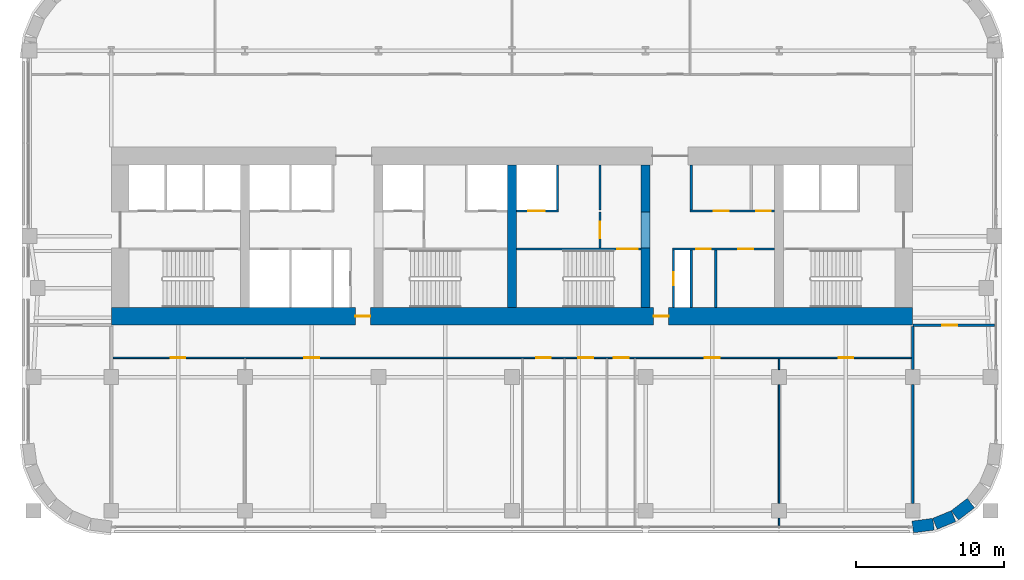
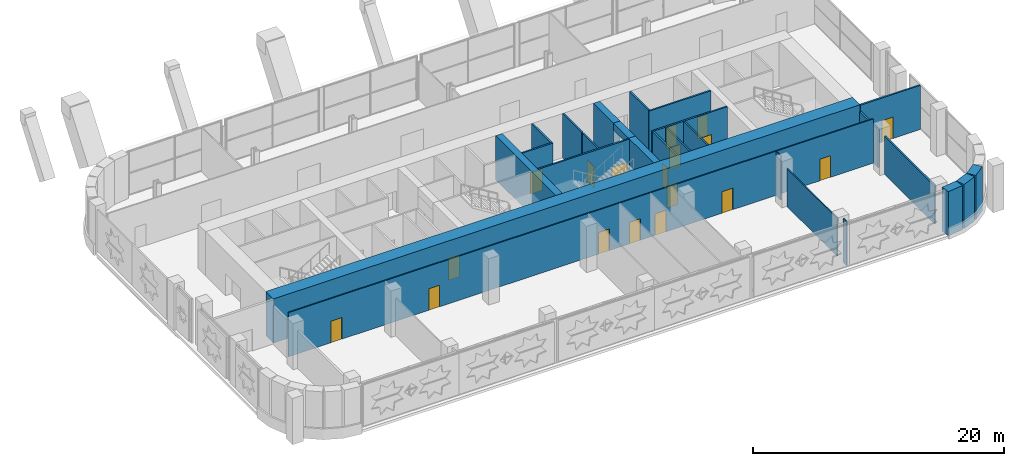
# One storey, part 17 of 24: 26 walls, 18 doors, 18 openings.
"""IFC4 building model written with IfcOpenShell, lengths in metres."""

from ifc_helpers import new_model, si_unit, direction, frame, frame_2d, origin, place, context, subcontext, project, spatial, rectangle, extrude, material, layer, layer_set, type_object, element, fill, save


model = new_model("IFC4")

# Units and contexts
model_context = context("Model", 3, precision=1e-05, world=origin(), true_north=direction((0.0, 1.0)))
body_context = subcontext(model_context, "Body", "Model", "MODEL_VIEW")
ifc_project = project(units=[si_unit("LENGTHUNIT", "METRE"), si_unit("AREAUNIT", "SQUARE_METRE"), si_unit("VOLUMEUNIT", "CUBIC_METRE"), si_unit("PLANEANGLEUNIT", "RADIAN"), si_unit("MASSUNIT", "GRAM", prefix="KILO")], contexts=[model_context])

# Site, building, storey
site_placement = place(None, origin())
site = spatial("IfcSite", under=ifc_project, at=site_placement, CompositionType="ELEMENT")
building_placement = place(site_placement, origin())
building = spatial("IfcBuilding", under=site, at=building_placement, Name="Zellij Exchange Tower", CompositionType="ELEMENT")
storey_placement = place(building_placement, frame((0.0, 0.0, 48.0)))
storey = spatial("IfcBuildingStorey", under=building, at=storey_placement, Name="L08", CompositionType="ELEMENT", Elevation=48.0)

# Walls
ifc_material_1 = material(Name="Concrete C70/85", Category="concrete")
ifc_layer_1 = layer(ifc_material_1, 0.60009765625)
ifc_layer_set_1 = layer_set([ifc_layer_1], Name="Concrete C70/85")
wall_type_1 = type_object("IfcWallType", Name="CORE-CW 600 C70/85", PredefinedType="SHEAR", material=ifc_layer_set_1)
wall_1_placement = place(storey_placement, frame((0.0, -12.800048828125, 0.0), z_axis=(0.0, 0.0, 1.0), x_axis=(0.0, 1.0, 0.0)))
element("IfcWall", 1, at=wall_1_placement, inside=storey, type_object=wall_type_1, Name="Core cross wall x 0 L08", PredefinedType="SHEAR", context=body_context, shape_type="SweptSolid", body=[
    extrude(rectangle(XDim=9.60009765625, YDim=0.60009765625, at=frame_2d((4.800048828125, 0.0))), origin(), (0.0, 0.0, 1.0), 4.300048828125),
])
wall_2_placement = place(storey_placement, frame((9.0, -12.800048828125, 0.0), z_axis=(0.0, 0.0, 1.0), x_axis=(0.0, 1.0, 0.0)))
element("IfcWall", 2, at=wall_2_placement, inside=storey, type_object=wall_type_1, Name="Core cross wall pier x 9 a L08", PredefinedType="SHEAR", context=body_context, shape_type="SweptSolid", body=[
    extrude(rectangle(XDim=4.0, YDim=0.60009765625, at=frame_2d((2.0, 0.0))), origin(), (0.0, 0.0, 1.0), 4.300048828125),
])
wall_3_placement = place(storey_placement, frame((9.0, -6.375, 0.0), z_axis=(0.0, 0.0, 1.0), x_axis=(0.0, 1.0, 0.0)))
element("IfcWall", 3, at=wall_3_placement, inside=storey, type_object=wall_type_1, Name="Core cross wall pier x 9 b L08", PredefinedType="SHEAR", context=body_context, shape_type="SweptSolid", body=[
    extrude(rectangle(XDim=3.175048828125, YDim=0.60009765625, at=frame_2d((1.58740234375, 0.0))), origin(), (0.0, 0.0, 1.0), 4.300048828125),
])
wall_4_placement = place(storey_placement, frame((9.0, -8.800048828125, 3.60009765625), z_axis=(0.0, 0.0, 1.0), x_axis=(0.0, 1.0, 0.0)))
element("IfcWall", 4, at=wall_4_placement, inside=storey, type_object=wall_type_1, Name="Core cross wall over opening x 9 L08", PredefinedType="SHEAR", context=body_context, shape_type="SweptSolid", body=[
    extrude(rectangle(XDim=2.425048828125, YDim=0.60009765625, at=frame_2d((1.21240234375, 0.0))), origin(), (0.0, 0.0, 1.0), 0.699951171875),
])

# Wall, opening, door
ifc_material_2 = material(Name="Gypsum shaft wall system")
ifc_layer_2 = layer(ifc_material_2, 0.14990234375)
ifc_layer_set_2 = layer_set([ifc_layer_2], Name="Gypsum shaft wall system")
wall_type_2 = type_object("IfcWallType", Name="CORE-PW 150 Firefighting lobby wall", PredefinedType="PARTITIONING", material=ifc_layer_set_2)
wall_5_placement = place(storey_placement, frame((5.925048828125, -8.800048828125, 0.0), z_axis=(0.0, 0.0, 1.0), x_axis=(0.0, 1.0, 0.0)))
wall_5 = element("IfcWall", 5, at=wall_5_placement, inside=storey, type_object=wall_type_2, Name="Firefighting lobby wall L08", PredefinedType="PARTITIONING", context=body_context, shape_type="SweptSolid", body=[
    extrude(rectangle(XDim=2.425048828125, YDim=0.14990234375, at=frame_2d((1.21240234375, 0.0))), origin(), (0.0, 0.0, 1.0), 4.300048828125),
])
opening_1_placement = place(wall_5_placement, frame((0.662109375, 0.0, 0.0)))
opening_1 = element("IfcOpeningElement", 6, at=opening_1_placement, cuts=wall_5, Name="Opening CA-06.18", PredefinedType="OPENING", context=body_context, shape_type="SweptSolid", body=[
    extrude(rectangle(XDim=1.10009765625, YDim=2.10009765625, at=frame_2d((0.550048828125, 1.050048828125))), frame((0.0, 0.0869140625, 0.0), z_axis=(0.0, -1.0, 0.0), x_axis=(1.0, 0.0, 0.0)), (0.0, 0.0, 1.0), 0.173828125),
])
ifc_material_3 = material(Name="Hollow metal fire door")
door_type_1 = type_object("IfcDoorType", Name="CORE-D F Firefighting lobby door 1100x2100 1 HR", OperationType="NOTDEFINED", PredefinedType="DOOR", material=ifc_material_3)
door_1_placement = place(opening_1_placement, origin())
door_1 = element("IfcDoor", 7, at=door_1_placement, inside=storey, type_object=door_type_1, Name="Firefighting lobby door CA-06.18", OperationType="SINGLE_SWING_RIGHT", OverallHeight=2.10009765625, OverallWidth=1.10009765625, PredefinedType="DOOR", context=body_context, shape_type="SweptSolid", body=[
    extrude(rectangle(XDim=1.10009765625, YDim=2.10009765625, at=frame_2d((0.550048828125, 1.050048828125))), frame((0.0, 0.02490234375, 0.0), z_axis=(0.0, -1.0, 0.0), x_axis=(1.0, 0.0, 0.0)), (0.0, 0.0, 1.0), 0.050048828125),
])
fill(opening_1, door_1)

# Walls
ifc_material_4 = material(Name="Gypsum board partition")
ifc_layer_3 = layer(ifc_material_4, 0.14990234375)
ifc_layer_set_3 = layer_set([ifc_layer_3], Name="Gypsum board partition")
wall_type_3 = type_object("IfcWallType", Name="CORE-PW 150 Lift lobby wall", PredefinedType="PARTITIONING", material=ifc_layer_set_3)
for number, where, z_axis, x_axis, name in (
    (8, (5.925048828125, -6.22509765625, 0.0), (0.0, 0.0, 1.0), (0.0, 1.0, 0.0), "Lift lobby wall L08"),
    (9, (12.074951171875, -6.22509765625, 0.0), (0.0, 0.0, 1.0), (0.0, 1.0, 0.0), "Lift lobby wall L08"),
):
    element("IfcWall", number, at=place(storey_placement, frame(where, z_axis=z_axis, x_axis=x_axis)), inside=storey, type_object=wall_type_3, Name=name, PredefinedType="PARTITIONING", context=body_context, shape_type="SweptSolid", body=[
        extrude(rectangle(XDim=3.025146484375, YDim=0.14990234375, at=frame_2d((1.5126953125, 0.0))), origin(), (0.0, 0.0, 1.0), 4.300048828125),
    ])

# Wall, opening, door
wall_6_placement = place(storey_placement, frame((10.875, -12.800048828125, 0.0), z_axis=(0.0, 0.0, 1.0), x_axis=(0.0, 1.0, 0.0)))
wall_6 = element("IfcWall", 10, at=wall_6_placement, inside=storey, type_object=wall_type_3, Name="Lift lobby wall L08", PredefinedType="PARTITIONING", context=body_context, shape_type="SweptSolid", body=[
    extrude(rectangle(XDim=3.85009765625, YDim=0.14990234375, at=frame_2d((1.925048828125, 0.0))), origin(), (0.0, 0.0, 1.0), 4.300048828125),
])
opening_2_placement = place(wall_6_placement, frame((1.47509765625, 0.0, 0.0)))
opening_2 = element("IfcOpeningElement", 11, at=opening_2_placement, cuts=wall_6, Name="Opening CA-06.22", PredefinedType="OPENING", context=body_context, shape_type="SweptSolid", body=[
    extrude(rectangle(XDim=0.89990234375, YDim=2.10009765625, at=frame_2d((0.449951171875, 1.050048828125))), frame((0.0, 0.0869140625, 0.0), z_axis=(0.0, -1.0, 0.0), x_axis=(1.0, 0.0, 0.0)), (0.0, 0.0, 1.0), 0.173828125),
])
door_type_2 = type_object("IfcDoorType", Name="CORE-D RD Riser door 900x2100 1.5 HR", OperationType="NOTDEFINED", PredefinedType="DOOR", material=ifc_material_3)
door_2_placement = place(opening_2_placement, origin())
door_2 = element("IfcDoor", 12, at=door_2_placement, inside=storey, type_object=door_type_2, Name="Riser door CA-06.22", OperationType="SINGLE_SWING_LEFT", OverallHeight=2.10009765625, OverallWidth=0.89990234375, PredefinedType="DOOR", context=body_context, shape_type="SweptSolid", body=[
    extrude(rectangle(XDim=0.89990234375, YDim=2.10009765625, at=frame_2d((0.449951171875, 1.050048828125))), frame((0.0, 0.02490234375, 0.0), z_axis=(0.0, -1.0, 0.0), x_axis=(1.0, 0.0, 0.0)), (0.0, 0.0, 1.0), 0.050048828125),
])
fill(opening_2, door_2)

# Walls
for number, where, z_axis, x_axis, name in (
    (13, (12.074951171875, -12.800048828125, 0.0), (0.0, 0.0, 1.0), (0.0, 1.0, 0.0), "Lift lobby wall L08"),
    (14, (13.72509765625, -12.800048828125, 0.0), (0.0, 0.0, 1.0), (0.0, 1.0, 0.0), "Lift lobby wall L08"),
):
    element("IfcWall", number, at=place(storey_placement, frame(where, z_axis=z_axis, x_axis=x_axis)), inside=storey, type_object=wall_type_3, Name=name, PredefinedType="PARTITIONING", context=body_context, shape_type="SweptSolid", body=[
        extrude(rectangle(XDim=3.85009765625, YDim=0.14990234375, at=frame_2d((1.925048828125, 0.0))), origin(), (0.0, 0.0, 1.0), 4.300048828125),
    ])

# Wall, openings, doors
wall_7_placement = place(storey_placement, frame((12.0, -6.300048828125, 0.0), z_axis=(0.0, 0.0, 1.0), x_axis=(1.0, 0.0, 0.0)))
wall_7 = element("IfcWall", 15, at=wall_7_placement, inside=storey, type_object=wall_type_3, Name="Lift lobby wall L08", PredefinedType="PARTITIONING", context=body_context, shape_type="SweptSolid", body=[
    extrude(rectangle(XDim=5.699951171875, YDim=0.14990234375, at=frame_2d((2.85009765625, 0.0))), origin(), (0.0, 0.0, 1.0), 4.300048828125),
])
opening_3_placement = place(wall_7_placement, frame((1.60009765625, 0.0, 0.0)))
opening_3 = element("IfcOpeningElement", 16, at=opening_3_placement, cuts=wall_7, Name="Opening CA-06.24", PredefinedType="OPENING", context=body_context, shape_type="SweptSolid", body=[
    extrude(rectangle(XDim=1.0, YDim=2.10009765625, at=frame_2d((0.5, 1.050048828125))), frame((0.0, 0.0869140625, 0.0), z_axis=(0.0, -1.0, 0.0), x_axis=(1.0, 0.0, 0.0)), (0.0, 0.0, 1.0), 0.173828125),
])
opening_4_placement = place(wall_7_placement, frame((4.449951171875, 0.0, 0.0)))
opening_4 = element("IfcOpeningElement", 17, at=opening_4_placement, cuts=wall_7, Name="Opening CA-06.26", PredefinedType="OPENING", context=body_context, shape_type="SweptSolid", body=[
    extrude(rectangle(XDim=1.0, YDim=2.10009765625, at=frame_2d((0.5, 1.050048828125))), frame((0.0, 0.0869140625, 0.0), z_axis=(0.0, -1.0, 0.0), x_axis=(1.0, 0.0, 0.0)), (0.0, 0.0, 1.0), 0.173828125),
])
door_type_3 = type_object("IfcDoorType", Name="CORE-D CD Core room door 1000x2100 1 HR", OperationType="NOTDEFINED", PredefinedType="DOOR", material=ifc_material_3)
door_3_placement = place(opening_3_placement, origin())
door_3 = element("IfcDoor", 18, at=door_3_placement, inside=storey, type_object=door_type_3, Name="Core room door CA-06.24", OperationType="SINGLE_SWING_LEFT", OverallHeight=2.10009765625, OverallWidth=1.0, PredefinedType="DOOR", context=body_context, shape_type="SweptSolid", body=[
    extrude(rectangle(XDim=1.0, YDim=2.10009765625, at=frame_2d((0.5, 1.050048828125))), frame((0.0, 0.02490234375, 0.0), z_axis=(0.0, -1.0, 0.0), x_axis=(1.0, 0.0, 0.0)), (0.0, 0.0, 1.0), 0.050048828125),
])
fill(opening_3, door_3)
door_4_placement = place(opening_4_placement, origin())
door_4 = element("IfcDoor", 19, at=door_4_placement, inside=storey, type_object=door_type_3, Name="Core room door CA-06.26", OperationType="SINGLE_SWING_RIGHT", OverallHeight=2.10009765625, OverallWidth=1.0, PredefinedType="DOOR", context=body_context, shape_type="SweptSolid", body=[
    extrude(rectangle(XDim=1.0, YDim=2.10009765625, at=frame_2d((0.5, 1.050048828125))), frame((0.0, 0.02490234375, 0.0), z_axis=(0.0, -1.0, 0.0), x_axis=(1.0, 0.0, 0.0)), (0.0, 0.0, 1.0), 0.050048828125),
])
fill(opening_4, door_4)

wall_8_placement = place(storey_placement, frame((10.800048828125, -8.875, 0.0), z_axis=(0.0, 0.0, 1.0), x_axis=(1.0, 0.0, 0.0)))
wall_8 = element("IfcWall", 20, at=wall_8_placement, inside=storey, type_object=wall_type_3, Name="Lift lobby wall L08", PredefinedType="PARTITIONING", context=body_context, shape_type="SweptSolid", body=[
    extrude(rectangle(XDim=6.89990234375, YDim=0.14990234375, at=frame_2d((3.449951171875, 0.0))), origin(), (0.0, 0.0, 1.0), 4.300048828125),
])
opening_5_placement = place(wall_8_placement, frame((1.60009765625, 0.0, 0.0)))
opening_5 = element("IfcOpeningElement", 21, at=opening_5_placement, cuts=wall_8, Name="Opening CA-06.23", PredefinedType="OPENING", context=body_context, shape_type="SweptSolid", body=[
    extrude(rectangle(XDim=1.0, YDim=2.10009765625, at=frame_2d((0.5, 1.050048828125))), frame((0.0, 0.0869140625, 0.0), z_axis=(0.0, -1.0, 0.0), x_axis=(1.0, 0.0, 0.0)), (0.0, 0.0, 1.0), 0.173828125),
])
opening_6_placement = place(wall_8_placement, frame((4.449951171875, 0.0, 0.0)))
opening_6 = element("IfcOpeningElement", 22, at=opening_6_placement, cuts=wall_8, Name="Opening CA-06.25", PredefinedType="OPENING", context=body_context, shape_type="SweptSolid", body=[
    extrude(rectangle(XDim=1.0, YDim=2.10009765625, at=frame_2d((0.5, 1.050048828125))), frame((0.0, 0.0869140625, 0.0), z_axis=(0.0, -1.0, 0.0), x_axis=(1.0, 0.0, 0.0)), (0.0, 0.0, 1.0), 0.173828125),
])
door_5_placement = place(opening_5_placement, origin())
door_5 = element("IfcDoor", 23, at=door_5_placement, inside=storey, type_object=door_type_3, Name="Core room door CA-06.23", OperationType="SINGLE_SWING_RIGHT", OverallHeight=2.10009765625, OverallWidth=1.0, PredefinedType="DOOR", context=body_context, shape_type="SweptSolid", body=[
    extrude(rectangle(XDim=1.0, YDim=2.10009765625, at=frame_2d((0.5, 1.050048828125))), frame((0.0, 0.02490234375, 0.0), z_axis=(0.0, -1.0, 0.0), x_axis=(1.0, 0.0, 0.0)), (0.0, 0.0, 1.0), 0.050048828125),
])
fill(opening_5, door_5)
door_6_placement = place(opening_6_placement, origin())
door_6 = element("IfcDoor", 24, at=door_6_placement, inside=storey, type_object=door_type_3, Name="Core room door CA-06.25", OperationType="SINGLE_SWING_LEFT", OverallHeight=2.10009765625, OverallWidth=1.0, PredefinedType="DOOR", context=body_context, shape_type="SweptSolid", body=[
    extrude(rectangle(XDim=1.0, YDim=2.10009765625, at=frame_2d((0.5, 1.050048828125))), frame((0.0, 0.02490234375, 0.0), z_axis=(0.0, -1.0, 0.0), x_axis=(1.0, 0.0, 0.0)), (0.0, 0.0, 1.0), 0.050048828125),
])
fill(opening_6, door_6)

# Wall
ifc_layer_4 = layer(ifc_material_2, 0.14990234375)
ifc_layer_set_4 = layer_set([ifc_layer_4], Name="Gypsum shaft wall system")
wall_type_4 = type_object("IfcWallType", Name="CORE-PW 150 Lift shaft wall", PredefinedType="PARTITIONING", material=ifc_layer_set_4)
wall_9_placement = place(storey_placement, frame((3.074951171875, -6.22509765625, 0.0), z_axis=(0.0, 0.0, 1.0), x_axis=(0.0, 1.0, 0.0)))
element("IfcWall", 25, at=wall_9_placement, inside=storey, type_object=wall_type_4, Name="Lift shaft wall L08", PredefinedType="PARTITIONING", context=body_context, shape_type="SweptSolid", body=[
    extrude(rectangle(XDim=3.025146484375, YDim=0.14990234375, at=frame_2d((1.5126953125, 0.0))), origin(), (0.0, 0.0, 1.0), 4.300048828125),
])

# Wall, opening, door
wall_10_placement = place(storey_placement, frame((0.300048828125, -6.300048828125, 0.0), z_axis=(0.0, 0.0, 1.0), x_axis=(1.0, 0.0, 0.0)))
wall_10 = element("IfcWall", 26, at=wall_10_placement, inside=storey, type_object=wall_type_4, Name="Lift shaft wall L08", PredefinedType="PARTITIONING", context=body_context, shape_type="SweptSolid", body=[
    extrude(rectangle(XDim=2.849853515625, YDim=0.14990234375, at=frame_2d((1.4248046875, 0.0))), origin(), (0.0, 0.0, 1.0), 4.300048828125),
])
opening_7_placement = place(wall_10_placement, frame((0.800048828125, 0.0, 0.0)))
opening_7 = element("IfcOpeningElement", 27, at=opening_7_placement, cuts=wall_10, Name="Opening CA-06.17", PredefinedType="OPENING", context=body_context, shape_type="SweptSolid", body=[
    extrude(rectangle(XDim=1.10009765625, YDim=2.10009765625, at=frame_2d((0.550048828125, 1.050048828125))), frame((0.0, 0.0869140625, 0.0), z_axis=(0.0, -1.0, 0.0), x_axis=(1.0, 0.0, 0.0)), (0.0, 0.0, 1.0), 0.173828125),
])
door_type_4 = type_object("IfcDoorType", Name="CORE-D LD Lift landing door 1100x2100 1.5 HR", OperationType="NOTDEFINED", PredefinedType="DOOR", material=ifc_material_3)
door_7_placement = place(opening_7_placement, origin())
door_7 = element("IfcDoor", 28, at=door_7_placement, inside=storey, type_object=door_type_4, Name="Lift landing door CA-06.17", OperationType="SLIDING_TO_LEFT", OverallHeight=2.10009765625, OverallWidth=1.10009765625, PredefinedType="DOOR", context=body_context, shape_type="SweptSolid", body=[
    extrude(rectangle(XDim=1.10009765625, YDim=2.10009765625, at=frame_2d((0.550048828125, 1.050048828125))), frame((0.0, 0.02490234375, 0.0), z_axis=(0.0, -1.0, 0.0), x_axis=(1.0, 0.0, 0.0)), (0.0, 0.0, 1.0), 0.050048828125),
])
fill(opening_7, door_7)

# Wall, openings, doors
ifc_layer_5 = layer(ifc_material_1, 1.199951171875)
ifc_layer_set_5 = layer_set([ifc_layer_5], Name="Concrete C70/85")
wall_type_5 = type_object("IfcWallType", Name="CORE-SW 1200 C70/85", PredefinedType="SHEAR", material=ifc_layer_set_5)
wall_11_placement = place(storey_placement, frame((-27.0, -13.39990234375, 0.0), z_axis=(0.0, 0.0, 1.0), x_axis=(1.0, 0.0, 0.0)))
wall_11 = element("IfcWall", 29, at=wall_11_placement, inside=storey, type_object=wall_type_5, Name="Core shear wall rear L08", PredefinedType="SHEAR", context=body_context, shape_type="SweptSolid", body=[
    extrude(rectangle(XDim=54.0, YDim=1.199951171875, at=frame_2d((27.0, 0.0))), origin(), (0.0, 0.0, 1.0), 4.300048828125),
])
opening_8_placement = place(wall_11_placement, frame((16.449951171875, 0.0, 0.0)))
opening_8 = element("IfcOpeningElement", 30, at=opening_8_placement, cuts=wall_11, Name="Opening CA-06.12", PredefinedType="OPENING", context=body_context, shape_type="SweptSolid", body=[
    extrude(rectangle(XDim=1.0, YDim=2.10009765625, at=frame_2d((0.5, 1.050048828125))), frame((0.0, 0.61181640625, 0.0), z_axis=(0.0, -1.0, 0.0), x_axis=(1.0, 0.0, 0.0)), (0.0, 0.0, 1.0), 1.223876953125),
])
opening_9_placement = place(wall_11_placement, frame((36.550048828125, 0.0, 0.0)))
opening_9 = element("IfcOpeningElement", 31, at=opening_9_placement, cuts=wall_11, Name="Opening CA-06.20", PredefinedType="OPENING", context=body_context, shape_type="SweptSolid", body=[
    extrude(rectangle(XDim=1.0, YDim=2.10009765625, at=frame_2d((0.5, 1.050048828125))), frame((0.0, 0.61181640625, 0.0), z_axis=(0.0, -1.0, 0.0), x_axis=(1.0, 0.0, 0.0)), (0.0, 0.0, 1.0), 1.223876953125),
])
door_type_5 = type_object("IfcDoorType", Name="CORE-D CR Core rear door 1000x2100 20 MIN", OperationType="NOTDEFINED", PredefinedType="DOOR", material=ifc_material_3)
door_8_placement = place(opening_8_placement, origin())
door_8 = element("IfcDoor", 32, at=door_8_placement, inside=storey, type_object=door_type_5, Name="Core rear door CA-06.12", OperationType="SINGLE_SWING_RIGHT", OverallHeight=2.10009765625, OverallWidth=1.0, PredefinedType="DOOR", context=body_context, shape_type="SweptSolid", body=[
    extrude(rectangle(XDim=1.0, YDim=2.10009765625, at=frame_2d((0.5, 1.050048828125))), frame((0.0, 0.02490234375, 0.0), z_axis=(0.0, -1.0, 0.0), x_axis=(1.0, 0.0, 0.0)), (0.0, 0.0, 1.0), 0.050048828125),
])
fill(opening_8, door_8)
door_9_placement = place(opening_9_placement, origin())
door_9 = element("IfcDoor", 33, at=door_9_placement, inside=storey, type_object=door_type_5, Name="Core rear door CA-06.20", OperationType="SINGLE_SWING_LEFT", OverallHeight=2.10009765625, OverallWidth=1.0, PredefinedType="DOOR", context=body_context, shape_type="SweptSolid", body=[
    extrude(rectangle(XDim=1.0, YDim=2.10009765625, at=frame_2d((0.5, 1.050048828125))), frame((0.0, 0.02490234375, 0.0), z_axis=(0.0, -1.0, 0.0), x_axis=(1.0, 0.0, 0.0)), (0.0, 0.0, 1.0), 0.050048828125),
])
fill(opening_9, door_9)

# Wall, opening, door
ifc_layer_6 = layer(ifc_material_1, 0.14990234375)
ifc_layer_set_6 = layer_set([ifc_layer_6], Name="Concrete C70/85")
wall_type_6 = type_object("IfcWallType", Name="CORE-SWS 150 C70/85", PredefinedType="SHEAR", material=ifc_layer_set_6)
wall_12_placement = place(storey_placement, frame((0.300048828125, -8.875, 0.0), z_axis=(0.0, 0.0, 1.0), x_axis=(1.0, 0.0, 0.0)))
wall_12 = element("IfcWall", 34, at=wall_12_placement, inside=storey, type_object=wall_type_6, Name="Stair enclosure wall L08", PredefinedType="SHEAR", context=body_context, shape_type="SweptSolid", body=[
    extrude(rectangle(XDim=8.39990234375, YDim=0.14990234375, at=frame_2d((4.199951171875, 0.0))), origin(), (0.0, 0.0, 1.0), 4.300048828125),
])
opening_10_placement = place(wall_12_placement, frame((6.77490234375, 0.0, 0.0)))
opening_10 = element("IfcOpeningElement", 35, at=opening_10_placement, cuts=wall_12, Name="Opening CA-06.19", PredefinedType="OPENING", context=body_context, shape_type="SweptSolid", body=[
    extrude(rectangle(XDim=1.39990234375, YDim=2.10009765625, at=frame_2d((0.699951171875, 1.050048828125))), frame((0.0, 0.0869140625, 0.0), z_axis=(0.0, -1.0, 0.0), x_axis=(1.0, 0.0, 0.0)), (0.0, 0.0, 1.0), 0.173828125),
])
door_type_6 = type_object("IfcDoorType", Name="CORE-D SD Stair door 1400x2100 1.5 HR", OperationType="NOTDEFINED", PredefinedType="DOOR", material=ifc_material_3)
door_10_placement = place(opening_10_placement, origin())
door_10 = element("IfcDoor", 36, at=door_10_placement, inside=storey, type_object=door_type_6, Name="Stair door CA-06.19", OperationType="DOUBLE_DOOR_SINGLE_SWING", OverallHeight=2.10009765625, OverallWidth=1.39990234375, PredefinedType="DOOR", context=body_context, shape_type="SweptSolid", body=[
    extrude(rectangle(XDim=1.39990234375, YDim=2.10009765625, at=frame_2d((0.699951171875, 1.050048828125))), frame((0.0, 0.02490234375, 0.0), z_axis=(0.0, -1.0, 0.0), x_axis=(1.0, 0.0, 0.0)), (0.0, 0.0, 1.0), 0.050048828125),
])
fill(opening_10, door_10)

# Walls
ifc_material_5 = material(Name="Precast concrete C40/50", Category="concrete")
ifc_layer_7 = layer(ifc_material_5, 0.800048828125)
ifc_layer_set_7 = layer_set([ifc_layer_7], Name="Precast concrete C40/50")
wall_type_7 = type_object("IfcWallType", Name="ENV-EW1 Precast stone-piered wall 800", PredefinedType="SOLIDWALL", material=ifc_layer_set_7)
wall_13_placement = place(storey_placement, frame((26.999755859375, -27.5966796875, 0.0), z_axis=(0.0, 0.0, 1.0), x_axis=(0.99144603414, 0.130517283865, 0.0)))
element("IfcWall", 37, at=wall_13_placement, inside=storey, type_object=wall_type_7, Name="fac.L08.01", PredefinedType="SOLIDWALL", context=body_context, shape_type="SweptSolid", body=[
    extrude(rectangle(XDim=1.408447265625, YDim=0.800048828125, at=frame_2d((0.7041015625, 0.0))), origin(), (0.0, 0.0, 1.0), 4.300048828125),
])
wall_14_placement = place(storey_placement, frame((28.497314453125, -27.3857421875, 0.0), z_axis=(0.0, 0.0, 1.0), x_axis=(0.923847774587, 0.38276009378, 0.0)))
element("IfcWall", 38, at=wall_14_placement, inside=storey, type_object=wall_type_7, Name="fac.L08.02", PredefinedType="SOLIDWALL", context=body_context, shape_type="SweptSolid", body=[
    extrude(rectangle(XDim=1.35546875, YDim=0.800048828125, at=frame_2d((0.677734375, 0.0))), origin(), (0.0, 0.0, 1.0), 4.300048828125),
])
wall_15_placement = place(storey_placement, frame((29.840087890625, -26.814697265625, 0.0), z_axis=(0.0, 0.0, 1.0), x_axis=(0.793272915452, 0.608866226366, 0.0)))
element("IfcWall", 39, at=wall_15_placement, inside=storey, type_object=wall_type_7, Name="fac.L08.03", PredefinedType="SOLIDWALL", context=body_context, shape_type="SweptSolid", body=[
    extrude(rectangle(XDim=1.355712890625, YDim=0.800048828125, at=frame_2d((0.677734375, 0.0))), origin(), (0.0, 0.0, 1.0), 4.300048828125),
])
ifc_material_6 = material(Name="Gypsum board partition on steel studs", Category="steel")
ifc_layer_8 = layer(ifc_material_6, 0.10009765625)
ifc_layer_set_8 = layer_set([ifc_layer_8], Name="Gypsum board partition on steel studs")
wall_type_8 = type_object("IfcWallType", Name="FIT-PARTITION-100", PredefinedType="PARTITIONING", material=ifc_layer_set_8)
wall_16_placement = place(storey_placement, frame((18.0, -27.5, 0.0), z_axis=(0.0, 0.0, 1.0), x_axis=(0.0, 1.0, 0.0)))
element("IfcWall", 40, at=wall_16_placement, inside=storey, type_object=wall_type_8, Name="FIT-PARTITION-100 008", PredefinedType="PARTITIONING", context=body_context, shape_type="SweptSolid", body=[
    extrude(rectangle(XDim=0.5, YDim=0.10009765625, at=frame_2d((0.25, 0.0))), origin(), (0.0, 0.0, 1.0), 4.300048828125),
])
wall_17_placement = place(storey_placement, frame((18.0, -26.0, 0.0), z_axis=(0.0, 0.0, 1.0), x_axis=(0.0, 1.0, 0.0)))
element("IfcWall", 41, at=wall_17_placement, inside=storey, type_object=wall_type_8, Name="FIT-PARTITION-100 009", PredefinedType="PARTITIONING", context=body_context, shape_type="SweptSolid", body=[
    extrude(rectangle(XDim=8.0, YDim=0.10009765625, at=frame_2d((4.0, 0.0))), origin(), (0.0, 0.0, 1.0), 3.687744140625),
])
wall_18_placement = place(storey_placement, frame((18.0, -17.0, 0.0), z_axis=(0.0, 0.0, 1.0), x_axis=(0.0, 1.0, 0.0)))
element("IfcWall", 42, at=wall_18_placement, inside=storey, type_object=wall_type_8, Name="FIT-PARTITION-100 010", PredefinedType="PARTITIONING", context=body_context, shape_type="SweptSolid", body=[
    extrude(rectangle(XDim=0.75, YDim=0.10009765625, at=frame_2d((0.375, 0.0))), origin(), (0.0, 0.0, 1.0), 4.300048828125),
])

# Wall, openings, doors
wall_19_placement = place(storey_placement, frame((-26.89990234375, -16.199951171875, 0.0), z_axis=(0.0, 0.0, 1.0), x_axis=(1.0, 0.0, 0.0)))
wall_19 = element("IfcWall", 43, at=wall_19_placement, inside=storey, type_object=wall_type_8, Name="FIT-PARTITION-100 015", PredefinedType="PARTITIONING", context=body_context, shape_type="SweptSolid", body=[
    extrude(rectangle(XDim=53.824951171875, YDim=0.10009765625, at=frame_2d((26.91259765625, 0.0))), origin(), (0.0, 0.0, 1.0), 4.300048828125),
])
opening_11_placement = place(wall_19_placement, frame((3.89990234375, 0.0, 0.0)))
opening_11 = element("IfcOpeningElement", 44, at=opening_11_placement, cuts=wall_19, Name="Opening G8.01", PredefinedType="OPENING", context=body_context, shape_type="SweptSolid", body=[
    extrude(rectangle(XDim=1.0, YDim=2.10009765625, at=frame_2d((0.5, 1.050048828125))), frame((0.0, 0.06201171875, 0.0), z_axis=(0.0, -1.0, 0.0), x_axis=(1.0, 0.0, 0.0)), (0.0, 0.0, 1.0), 0.1240234375),
])
opening_12_placement = place(wall_19_placement, frame((12.89990234375, 0.0, 0.0)))
opening_12 = element("IfcOpeningElement", 45, at=opening_12_placement, cuts=wall_19, Name="Opening G8.02", PredefinedType="OPENING", context=body_context, shape_type="SweptSolid", body=[
    extrude(rectangle(XDim=1.0, YDim=2.10009765625, at=frame_2d((0.5, 1.050048828125))), frame((0.0, 0.06201171875, 0.0), z_axis=(0.0, -1.0, 0.0), x_axis=(1.0, 0.0, 0.0)), (0.0, 0.0, 1.0), 0.1240234375),
])
opening_13_placement = place(wall_19_placement, frame((28.52490234375, 0.0, 0.0)))
opening_13 = element("IfcOpeningElement", 46, at=opening_13_placement, cuts=wall_19, Name="Opening G8.03", PredefinedType="OPENING", context=body_context, shape_type="SweptSolid", body=[
    extrude(rectangle(XDim=1.0, YDim=2.10009765625, at=frame_2d((0.5, 1.050048828125))), frame((0.0, 0.06201171875, 0.0), z_axis=(0.0, -1.0, 0.0), x_axis=(1.0, 0.0, 0.0)), (0.0, 0.0, 1.0), 0.1240234375),
])
opening_14_placement = place(wall_19_placement, frame((31.375, 0.0, 0.0)))
opening_14 = element("IfcOpeningElement", 47, at=opening_14_placement, cuts=wall_19, Name="Opening G8.04", PredefinedType="OPENING", context=body_context, shape_type="SweptSolid", body=[
    extrude(rectangle(XDim=1.0, YDim=2.10009765625, at=frame_2d((0.5, 1.050048828125))), frame((0.0, 0.06201171875, 0.0), z_axis=(0.0, -1.0, 0.0), x_axis=(1.0, 0.0, 0.0)), (0.0, 0.0, 1.0), 0.1240234375),
])
opening_15_placement = place(wall_19_placement, frame((33.75, 0.0, 0.0)))
opening_15 = element("IfcOpeningElement", 48, at=opening_15_placement, cuts=wall_19, Name="Opening G8.05", PredefinedType="OPENING", context=body_context, shape_type="SweptSolid", body=[
    extrude(rectangle(XDim=1.0, YDim=2.10009765625, at=frame_2d((0.5, 1.050048828125))), frame((0.0, 0.06201171875, 0.0), z_axis=(0.0, -1.0, 0.0), x_axis=(1.0, 0.0, 0.0)), (0.0, 0.0, 1.0), 0.1240234375),
])
opening_16_placement = place(wall_19_placement, frame((39.89990234375, 0.0, 0.0)))
opening_16 = element("IfcOpeningElement", 49, at=opening_16_placement, cuts=wall_19, Name="Opening G8.06", PredefinedType="OPENING", context=body_context, shape_type="SweptSolid", body=[
    extrude(rectangle(XDim=1.0, YDim=2.10009765625, at=frame_2d((0.5, 1.050048828125))), frame((0.0, 0.06201171875, 0.0), z_axis=(0.0, -1.0, 0.0), x_axis=(1.0, 0.0, 0.0)), (0.0, 0.0, 1.0), 0.1240234375),
])
opening_17_placement = place(wall_19_placement, frame((48.89990234375, 0.0, 0.0)))
opening_17 = element("IfcOpeningElement", 50, at=opening_17_placement, cuts=wall_19, Name="Opening G8.07", PredefinedType="OPENING", context=body_context, shape_type="SweptSolid", body=[
    extrude(rectangle(XDim=1.0, YDim=2.10009765625, at=frame_2d((0.5, 1.050048828125))), frame((0.0, 0.06201171875, 0.0), z_axis=(0.0, -1.0, 0.0), x_axis=(1.0, 0.0, 0.0)), (0.0, 0.0, 1.0), 0.1240234375),
])
ifc_material_7 = material(Name="Timber door set", Category="wood")
door_type_7 = type_object("IfcDoorType", Name="FIT-D2-WIDE-1000X2100", OperationType="SINGLE_SWING_LEFT", PredefinedType="DOOR", material=ifc_material_7)
door_11_placement = place(opening_11_placement, origin())
door_11 = element("IfcDoor", 51, at=door_11_placement, inside=storey, type_object=door_type_7, Name="Door G8.01", OperationType="SINGLE_SWING_RIGHT", OverallHeight=2.10009765625, OverallWidth=1.0, PredefinedType="DOOR", context=body_context, shape_type="SweptSolid", body=[
    extrude(rectangle(XDim=1.0, YDim=2.10009765625, at=frame_2d((0.5, 1.050048828125))), frame((0.0, 0.02490234375, 0.0), z_axis=(0.0, -1.0, 0.0), x_axis=(1.0, 0.0, 0.0)), (0.0, 0.0, 1.0), 0.050048828125),
])
fill(opening_11, door_11)
door_12_placement = place(opening_12_placement, origin())
door_12 = element("IfcDoor", 52, at=door_12_placement, inside=storey, type_object=door_type_7, Name="Door G8.02", OperationType="SINGLE_SWING_RIGHT", OverallHeight=2.10009765625, OverallWidth=1.0, PredefinedType="DOOR", context=body_context, shape_type="SweptSolid", body=[
    extrude(rectangle(XDim=1.0, YDim=2.10009765625, at=frame_2d((0.5, 1.050048828125))), frame((0.0, 0.02490234375, 0.0), z_axis=(0.0, -1.0, 0.0), x_axis=(1.0, 0.0, 0.0)), (0.0, 0.0, 1.0), 0.050048828125),
])
fill(opening_12, door_12)
door_13_placement = place(opening_13_placement, origin())
door_13 = element("IfcDoor", 53, at=door_13_placement, inside=storey, type_object=door_type_7, Name="Door G8.03", OperationType="SINGLE_SWING_RIGHT", OverallHeight=2.10009765625, OverallWidth=1.0, PredefinedType="DOOR", context=body_context, shape_type="SweptSolid", body=[
    extrude(rectangle(XDim=1.0, YDim=2.10009765625, at=frame_2d((0.5, 1.050048828125))), frame((0.0, 0.02490234375, 0.0), z_axis=(0.0, -1.0, 0.0), x_axis=(1.0, 0.0, 0.0)), (0.0, 0.0, 1.0), 0.050048828125),
])
fill(opening_13, door_13)
door_14_placement = place(opening_14_placement, origin())
door_14 = element("IfcDoor", 54, at=door_14_placement, inside=storey, type_object=door_type_7, Name="Door G8.04", OperationType="SINGLE_SWING_LEFT", OverallHeight=2.10009765625, OverallWidth=1.0, PredefinedType="DOOR", context=body_context, shape_type="SweptSolid", body=[
    extrude(rectangle(XDim=1.0, YDim=2.10009765625, at=frame_2d((0.5, 1.050048828125))), frame((0.0, 0.02490234375, 0.0), z_axis=(0.0, -1.0, 0.0), x_axis=(1.0, 0.0, 0.0)), (0.0, 0.0, 1.0), 0.050048828125),
])
fill(opening_14, door_14)
door_15_placement = place(opening_15_placement, origin())
door_15 = element("IfcDoor", 55, at=door_15_placement, inside=storey, type_object=door_type_7, Name="Door G8.05", OperationType="SINGLE_SWING_LEFT", OverallHeight=2.10009765625, OverallWidth=1.0, PredefinedType="DOOR", context=body_context, shape_type="SweptSolid", body=[
    extrude(rectangle(XDim=1.0, YDim=2.10009765625, at=frame_2d((0.5, 1.050048828125))), frame((0.0, 0.02490234375, 0.0), z_axis=(0.0, -1.0, 0.0), x_axis=(1.0, 0.0, 0.0)), (0.0, 0.0, 1.0), 0.050048828125),
])
fill(opening_15, door_15)
door_16_placement = place(opening_16_placement, origin())
door_16 = element("IfcDoor", 56, at=door_16_placement, inside=storey, type_object=door_type_7, Name="Door G8.06", OperationType="SINGLE_SWING_LEFT", OverallHeight=2.10009765625, OverallWidth=1.0, PredefinedType="DOOR", context=body_context, shape_type="SweptSolid", body=[
    extrude(rectangle(XDim=1.0, YDim=2.10009765625, at=frame_2d((0.5, 1.050048828125))), frame((0.0, 0.02490234375, 0.0), z_axis=(0.0, -1.0, 0.0), x_axis=(1.0, 0.0, 0.0)), (0.0, 0.0, 1.0), 0.050048828125),
])
fill(opening_16, door_16)
door_17_placement = place(opening_17_placement, origin())
door_17 = element("IfcDoor", 57, at=door_17_placement, inside=storey, type_object=door_type_7, Name="Door G8.07", OperationType="SINGLE_SWING_RIGHT", OverallHeight=2.10009765625, OverallWidth=1.0, PredefinedType="DOOR", context=body_context, shape_type="SweptSolid", body=[
    extrude(rectangle(XDim=1.0, YDim=2.10009765625, at=frame_2d((0.5, 1.050048828125))), frame((0.0, 0.02490234375, 0.0), z_axis=(0.0, -1.0, 0.0), x_axis=(1.0, 0.0, 0.0)), (0.0, 0.0, 1.0), 0.050048828125),
])
fill(opening_17, door_17)

# Walls
ifc_material_8 = material(Name="Gypsum board shaft-wall partition", Category="gypsum")
ifc_layer_9 = layer(ifc_material_8, 0.14990234375)
ifc_layer_set_9 = layer_set([ifc_layer_9], Name="Gypsum board shaft-wall partition")
wall_type_9 = type_object("IfcWallType", Name="FIT-PARTITION-150-EI60", PredefinedType="PARTITIONING", material=ifc_layer_set_9)
wall_20_placement = place(storey_placement, frame((27.0, -26.0, 0.0), z_axis=(0.0, 0.0, 1.0), x_axis=(0.0, 1.0, 0.0)))
element("IfcWall", 58, at=wall_20_placement, inside=storey, type_object=wall_type_9, Name="FIT-PARTITION-150-EI60 013", PredefinedType="PARTITIONING", context=body_context, shape_type="SweptSolid", body=[
    extrude(rectangle(XDim=8.0, YDim=0.14990234375, at=frame_2d((4.0, 0.0))), origin(), (0.0, 0.0, 1.0), 3.687744140625),
])
wall_21_placement = place(storey_placement, frame((27.0, -17.0, 0.0), z_axis=(0.0, 0.0, 1.0), x_axis=(0.0, 1.0, 0.0)))
element("IfcWall", 59, at=wall_21_placement, inside=storey, type_object=wall_type_9, Name="FIT-PARTITION-150-EI60 014", PredefinedType="PARTITIONING", context=body_context, shape_type="SweptSolid", body=[
    extrude(rectangle(XDim=2.925048828125, YDim=0.14990234375, at=frame_2d((1.46240234375, 0.0))), origin(), (0.0, 0.0, 1.0), 3.687744140625),
])

# Wall, opening, door
wall_22_placement = place(storey_placement, frame((27.0048828125, -14.0, 0.0), z_axis=(0.0, 0.0, 1.0), x_axis=(1.0, 0.0, 0.0)))
wall_22 = element("IfcWall", 60, at=wall_22_placement, inside=storey, type_object=wall_type_9, Name="FIT-PARTITION-150-EI60 017", PredefinedType="PARTITIONING", context=body_context, shape_type="SweptSolid", body=[
    extrude(rectangle(XDim=5.51123046875, YDim=0.14990234375, at=frame_2d((2.755615234375, 0.0))), origin(), (0.0, 0.0, 1.0), 4.300048828125),
])
opening_18_placement = place(wall_22_placement, frame((1.9951171875, 0.0, 0.0)))
opening_18 = element("IfcOpeningElement", 61, at=opening_18_placement, cuts=wall_22, Name="Opening G8.09", PredefinedType="OPENING", context=body_context, shape_type="SweptSolid", body=[
    extrude(rectangle(XDim=1.0, YDim=2.10009765625, at=frame_2d((0.5, 1.050048828125))), frame((0.0, 0.0869140625, 0.0), z_axis=(0.0, -1.0, 0.0), x_axis=(1.0, 0.0, 0.0)), (0.0, 0.0, 1.0), 0.173828125),
])
door_18_placement = place(opening_18_placement, origin())
door_18 = element("IfcDoor", 62, at=door_18_placement, inside=storey, type_object=door_type_7, Name="Door G8.09", OperationType="SINGLE_SWING_RIGHT", OverallHeight=2.10009765625, OverallWidth=1.0, PredefinedType="DOOR", context=body_context, shape_type="SweptSolid", body=[
    extrude(rectangle(XDim=1.0, YDim=2.10009765625, at=frame_2d((0.5, 1.050048828125))), frame((0.0, 0.02490234375, 0.0), z_axis=(0.0, -1.0, 0.0), x_axis=(1.0, 0.0, 0.0)), (0.0, 0.0, 1.0), 0.050048828125),
])
fill(opening_18, door_18)

save(model, "model.ifc")
